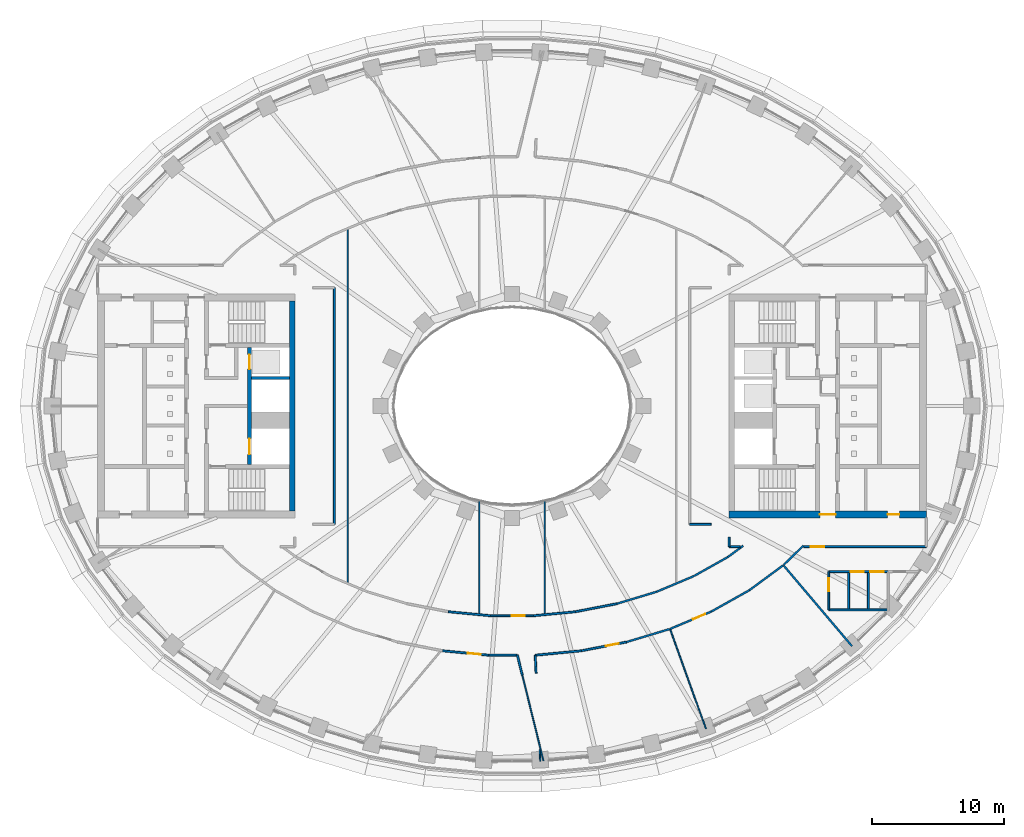
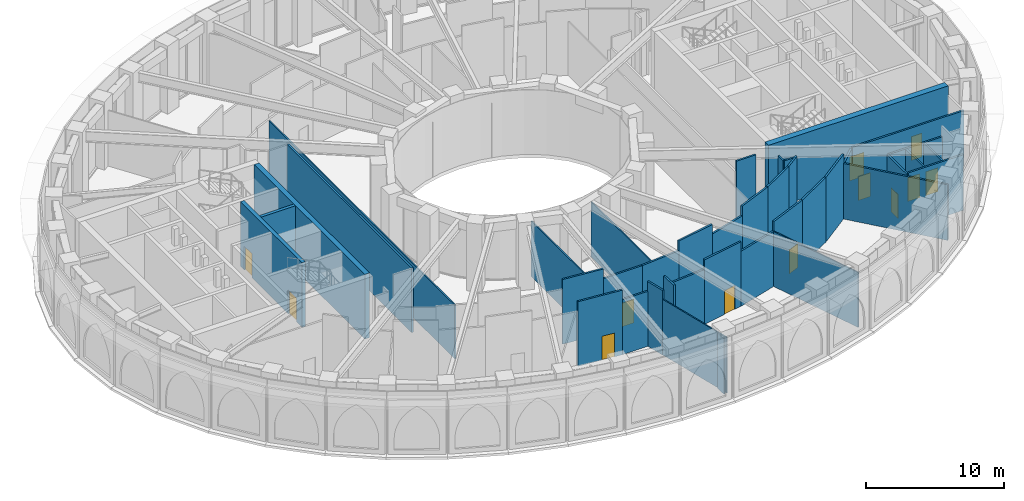
# One storey, part 4 of 23: 40 walls, 12 doors, 12 openings.
"""IFC4 building model written with IfcOpenShell, lengths in metres."""

from ifc_helpers import new_model, si_unit, direction, frame, frame_2d, origin, place, context, subcontext, project, spatial, rectangle, extrude, material, layer, layer_set, type_object, element, fill, save


model = new_model("IFC4")

# Units and contexts
model_context = context("Model", 3, precision=1e-05, world=origin(), true_north=direction((0.0, 1.0)))
body_context = subcontext(model_context, "Body", "Model", "MODEL_VIEW")
ifc_project = project(units=[si_unit("LENGTHUNIT", "METRE"), si_unit("AREAUNIT", "SQUARE_METRE"), si_unit("VOLUMEUNIT", "CUBIC_METRE"), si_unit("PLANEANGLEUNIT", "RADIAN"), si_unit("MASSUNIT", "GRAM", prefix="KILO")], contexts=[model_context])

# Site, building, storey
site_placement = place(None, origin())
site = spatial("IfcSite", under=ifc_project, at=site_placement, CompositionType="ELEMENT")
building_placement = place(site_placement, origin())
building = spatial("IfcBuilding", under=site, at=building_placement, Name="Noorbagh Ring Tower", CompositionType="ELEMENT")
storey_placement = place(building_placement, frame((0.0, 0.0, 140.0)))
storey = spatial("IfcBuildingStorey", under=building, at=storey_placement, Name="L32", CompositionType="ELEMENT", Elevation=140.0)

# Wall
ifc_material_1 = material(Name="Concrete C70/85", Category="concrete")
ifc_layer_1 = layer(ifc_material_1, 0.25)
ifc_layer_set_1 = layer_set([ifc_layer_1], Name="Concrete C70/85")
wall_type_1 = type_object("IfcWallType", Name="CORE-WALL-250-C70-85-EI120", PredefinedType="SHEAR", material=ifc_layer_set_1)
wall_1_placement = place(storey_placement, frame((-16.89990234375, 2.125, 0.0), z_axis=(0.0, 0.0, 1.0), x_axis=(-1.0, 0.0, 0.0)))
element("IfcWall", 1, at=wall_1_placement, inside=storey, type_object=wall_type_1, Name="Core wall W", PredefinedType="SHEAR", context=body_context, shape_type="SweptSolid", body=[
    extrude(rectangle(XDim=2.900146484375, YDim=0.25, at=frame_2d((1.4501953125, 0.0))), origin(), (0.0, 0.0, 1.0), 5.699951171875),
])

# Wall, openings, doors
ifc_material_2 = material(Name="Concrete C70/85", Category="concrete")
ifc_layer_2 = layer(ifc_material_2, 0.300048828125)
ifc_layer_set_2 = layer_set([ifc_layer_2], Name="Concrete C70/85")
wall_type_2 = type_object("IfcWallType", Name="CORE-WALL-300-C70-85-EI120", PredefinedType="SHEAR", material=ifc_layer_set_2)
wall_2_placement = place(storey_placement, frame((-19.949951171875, -4.449951171875, 0.0), z_axis=(0.0, 0.0, 1.0), x_axis=(0.0, 1.0, 0.0)))
wall_2 = element("IfcWall", 2, at=wall_2_placement, inside=storey, type_object=wall_type_2, Name="Core wall W", PredefinedType="SHEAR", context=body_context, shape_type="SweptSolid", body=[
    extrude(rectangle(XDim=8.89990234375, YDim=0.300048828125, at=frame_2d((4.449951171875, 0.0))), origin(), (0.0, 0.0, 1.0), 5.699951171875),
])
opening_1_placement = place(wall_2_placement, frame((0.77490234375, 0.0, 0.0)))
opening_1 = element("IfcOpeningElement", 3, at=opening_1_placement, cuts=wall_2, Name="Opening L32-CW01", PredefinedType="OPENING", context=body_context, shape_type="SweptSolid", body=[
    extrude(rectangle(XDim=1.199951171875, YDim=2.10009765625, at=frame_2d((0.60009765625, 1.050048828125))), frame((0.0, 0.16015625, 0.0), z_axis=(0.0, -1.0, 0.0), x_axis=(1.0, 0.0, 0.0)), (0.0, 0.0, 1.0), 0.320068359375),
])
opening_2_placement = place(wall_2_placement, frame((7.25, 0.0, 0.0)))
opening_2 = element("IfcOpeningElement", 4, at=opening_2_placement, cuts=wall_2, Name="Opening L32-CW02", PredefinedType="OPENING", context=body_context, shape_type="SweptSolid", body=[
    extrude(rectangle(XDim=1.10009765625, YDim=2.10009765625, at=frame_2d((0.550048828125, 1.050048828125))), frame((0.0, 0.16015625, 0.0), z_axis=(0.0, -1.0, 0.0), x_axis=(1.0, 0.0, 0.0)), (0.0, 0.0, 1.0), 0.320068359375),
])
ifc_material_3 = material(Name="Steel door leaf", Category="steel")
door_type_1 = type_object("IfcDoorType", Name="CORE-DOOR-LD", OperationType="DOUBLE_DOOR_SLIDING", PredefinedType="DOOR", material=ifc_material_3)
door_1_placement = place(opening_2_placement, origin())
door_1 = element("IfcDoor", 5, at=door_1_placement, inside=storey, type_object=door_type_1, Name="Landing door HR1 L32-CW02", OperationType="DOUBLE_DOOR_SLIDING", OverallHeight=2.10009765625, OverallWidth=1.10009765625, PredefinedType="DOOR", context=body_context, shape_type="SweptSolid", body=[
    extrude(rectangle(XDim=1.10009765625, YDim=2.10009765625, at=frame_2d((0.550048828125, 1.050048828125))), frame((0.0, 0.02490234375, 0.0), z_axis=(0.0, -1.0, 0.0), x_axis=(1.0, 0.0, 0.0)), (0.0, 0.0, 1.0), 0.050048828125),
])
fill(opening_2, door_1)
ifc_material_4 = material(Name="Steel door leaf", Category="steel")
door_type_2 = type_object("IfcDoorType", Name="CORE-DOOR-LDW", OperationType="DOUBLE_DOOR_SLIDING", PredefinedType="DOOR", material=ifc_material_4)
door_2_placement = place(opening_1_placement, origin())
door_2 = element("IfcDoor", 6, at=door_2_placement, inside=storey, type_object=door_type_2, Name="Landing door FF1 L32-CW01", OperationType="DOUBLE_DOOR_SLIDING", OverallHeight=2.10009765625, OverallWidth=1.199951171875, PredefinedType="DOOR", context=body_context, shape_type="SweptSolid", body=[
    extrude(rectangle(XDim=1.199951171875, YDim=2.10009765625, at=frame_2d((0.60009765625, 1.050048828125))), frame((0.0, 0.02490234375, 0.0), z_axis=(0.0, -1.0, 0.0), x_axis=(1.0, 0.0, 0.0)), (0.0, 0.0, 1.0), 0.050048828125),
])
fill(opening_1, door_2)

# Wall
ifc_material_5 = material(Name="Concrete C70/85", Category="concrete")
ifc_layer_3 = layer(ifc_material_5, 0.39990234375)
ifc_layer_set_3 = layer_set([ifc_layer_3], Name="Concrete C70/85")
wall_type_3 = type_object("IfcWallType", Name="CORE-WALL-400-C70-85-EI240", PredefinedType="SHEAR", material=ifc_layer_set_3)
wall_3_placement = place(storey_placement, frame((-16.699951171875, -8.0, 0.0), z_axis=(0.0, 0.0, 1.0), x_axis=(0.0, 1.0, 0.0)))
element("IfcWall", 7, at=wall_3_placement, inside=storey, type_object=wall_type_3, Name="Core wall W", PredefinedType="SHEAR", context=body_context, shape_type="SweptSolid", body=[
    extrude(rectangle(XDim=16.0, YDim=0.39990234375, at=frame_2d((8.0, 0.0))), origin(), (0.0, 0.0, 1.0), 5.699951171875),
])

# Wall, openings, doors
ifc_material_6 = material(Name="Concrete C70/85", Category="concrete")
ifc_layer_4 = layer(ifc_material_6, 0.5)
ifc_layer_set_4 = layer_set([ifc_layer_4], Name="Concrete C70/85")
wall_type_4 = type_object("IfcWallType", Name="CORE-WALL-500-C70-85-EI240", PredefinedType="SHEAR", material=ifc_layer_set_4)
wall_4_placement = place(storey_placement, frame((16.5, -8.25, 0.0), z_axis=(0.0, 0.0, 1.0), x_axis=(1.0, 0.0, 0.0)))
wall_4 = element("IfcWall", 8, at=wall_4_placement, inside=storey, type_object=wall_type_4, Name="Core wall E", PredefinedType="SHEAR", context=body_context, shape_type="SweptSolid", body=[
    extrude(rectangle(XDim=15.0, YDim=0.5, at=frame_2d((7.5, 0.0))), origin(), (0.0, 0.0, 1.0), 5.699951171875),
])
opening_3_placement = place(wall_4_placement, frame((6.89990234375, 0.0, 0.0)))
opening_3 = element("IfcOpeningElement", 9, at=opening_3_placement, cuts=wall_4, Name="Opening L32-CE12", PredefinedType="OPENING", context=body_context, shape_type="SweptSolid", body=[
    extrude(rectangle(XDim=1.199951171875, YDim=2.10009765625, at=frame_2d((0.60009765625, 1.050048828125))), frame((0.0, 0.260009765625, 0.0), z_axis=(0.0, -1.0, 0.0), x_axis=(1.0, 0.0, 0.0)), (0.0, 0.0, 1.0), 0.52001953125),
])
opening_4_placement = place(wall_4_placement, frame((12.050048828125, 0.0, 0.0)))
opening_4 = element("IfcOpeningElement", 10, at=opening_4_placement, cuts=wall_4, Name="Opening L32-CE16", PredefinedType="OPENING", context=body_context, shape_type="SweptSolid", body=[
    extrude(rectangle(XDim=0.89990234375, YDim=2.10009765625, at=frame_2d((0.449951171875, 1.050048828125))), frame((0.0, 0.260009765625, 0.0), z_axis=(0.0, -1.0, 0.0), x_axis=(1.0, 0.0, 0.0)), (0.0, 0.0, 1.0), 0.52001953125),
])
ifc_material_7 = material(Name="Steel door leaf", Category="steel")
door_type_3 = type_object("IfcDoorType", Name="CORE-DOOR-DROOM", OperationType="SINGLE_SWING_LEFT", PredefinedType="DOOR", material=ifc_material_7)
door_3_placement = place(opening_4_placement, origin())
door_3 = element("IfcDoor", 11, at=door_3_placement, inside=storey, type_object=door_type_3, Name="Core room door L32-CE16", OperationType="SINGLE_SWING_RIGHT", OverallHeight=2.10009765625, OverallWidth=0.89990234375, PredefinedType="DOOR", context=body_context, shape_type="SweptSolid", body=[
    extrude(rectangle(XDim=0.89990234375, YDim=2.10009765625, at=frame_2d((0.449951171875, 1.050048828125))), frame((0.0, 0.02490234375, 0.0), z_axis=(0.0, -1.0, 0.0), x_axis=(1.0, 0.0, 0.0)), (0.0, 0.0, 1.0), 0.050048828125),
])
fill(opening_4, door_3)
ifc_material_8 = material(Name="Steel door leaf", Category="steel")
door_type_4 = type_object("IfcDoorType", Name="CORE-DOOR-PORT", OperationType="DOUBLE_DOOR_DOUBLE_SWING", PredefinedType="DOOR", material=ifc_material_8)
door_4_placement = place(opening_3_placement, origin())
door_4 = element("IfcDoor", 12, at=door_4_placement, inside=storey, type_object=door_type_4, Name="Core entrance door L32-CE12", OperationType="DOUBLE_DOOR_DOUBLE_SWING", OverallHeight=2.10009765625, OverallWidth=1.199951171875, PredefinedType="DOOR", context=body_context, shape_type="SweptSolid", body=[
    extrude(rectangle(XDim=1.199951171875, YDim=2.10009765625, at=frame_2d((0.60009765625, 1.050048828125))), frame((0.0, 0.02490234375, 0.0), z_axis=(0.0, -1.0, 0.0), x_axis=(1.0, 0.0, 0.0)), (0.0, 0.0, 1.0), 0.050048828125),
])
fill(opening_3, door_4)

# Wall
ifc_material_9 = material(Name="Gypsum board on steel studs", Category="steel")
ifc_layer_5 = layer(ifc_material_9, 0.14990234375)
ifc_layer_set_5 = layer_set([ifc_layer_5], Name="Gypsum board on steel studs")
wall_type_5 = type_object("IfcWallType", Name="CORRIDOR PARTITION 150 EI 30", PredefinedType="PARTITIONING", material=ifc_layer_set_5)
wall_5_placement = place(storey_placement, frame((-13.5, -9.0, 0.0), z_axis=(0.0, 0.0, 1.0), x_axis=(0.0, 1.0, 0.0)))
element("IfcWall", 13, at=wall_5_placement, inside=storey, type_object=wall_type_5, Name="L32/wall/P30", PredefinedType="PARTITIONING", context=body_context, shape_type="SweptSolid", body=[
    extrude(rectangle(XDim=18.0, YDim=0.14990234375, at=frame_2d((9.0, 0.0))), origin(), (0.0, 0.0, 1.0), 5.699951171875),
])

# Wall, opening, door
wall_6_placement = place(storey_placement, frame((-5.27001953125, -18.613037109375, 0.0), z_axis=(0.0, 0.0, 1.0), x_axis=(0.995464881704, -0.095129749787, 0.0)))
wall_6 = element("IfcWall", 14, at=wall_6_placement, inside=storey, type_object=wall_type_5, Name="L32/wall/P42", PredefinedType="PARTITIONING", context=body_context, shape_type="SweptSolid", body=[
    extrude(rectangle(XDim=3.52099609375, YDim=0.14990234375, at=frame_2d((1.760498046875, 0.0))), origin(), (0.0, 0.0, 1.0), 5.699951171875),
])
opening_5_placement = place(wall_6_placement, frame((1.89990234375, 0.0, 0.0)))
opening_5 = element("IfcOpeningElement", 15, at=opening_5_placement, cuts=wall_6, Name="Opening D1", PredefinedType="OPENING", context=body_context, shape_type="SweptSolid", body=[
    extrude(rectangle(XDim=1.0, YDim=2.10009765625, at=frame_2d((0.5, 1.050048828125))), frame((0.0, 0.0849609375, 0.0), z_axis=(0.0, -1.0, 0.0), x_axis=(1.0, 0.0, 0.0)), (0.0, 0.0, 1.0), 0.169921875),
])
ifc_material_10 = material(Name="Timber, painted", Category="wood")
door_type_5 = type_object("IfcDoorType", Name="DOOR 1000 X 2100 FD30", OperationType="SINGLE_SWING_LEFT", PredefinedType="DOOR", material=ifc_material_10)
door_5_placement = place(opening_5_placement, origin())
door_5 = element("IfcDoor", 16, at=door_5_placement, inside=storey, type_object=door_type_5, Name="L32-D12", OperationType="SINGLE_SWING_RIGHT", OverallHeight=2.10009765625, OverallWidth=1.0, PredefinedType="DOOR", context=body_context, shape_type="SweptSolid", body=[
    extrude(rectangle(XDim=1.0, YDim=2.10009765625, at=frame_2d((0.5, 1.050048828125))), frame((0.0, 0.02490234375, 0.0), z_axis=(0.0, -1.0, 0.0), x_axis=(1.0, 0.0, 0.0)), (0.0, 0.0, 1.0), 0.050048828125),
])
fill(opening_5, door_5)

# Walls
wall_7_placement = place(storey_placement, frame((-4.841064453125, -15.64111328125, 0.0), z_axis=(0.0, 0.0, 1.0), x_axis=(0.995486305975, -0.094905292879, 0.0)))
element("IfcWall", 17, at=wall_7_placement, inside=storey, type_object=wall_type_5, Name="L32/wall/P44", PredefinedType="PARTITIONING", context=body_context, shape_type="SweptSolid", body=[
    extrude(rectangle(XDim=3.233642578125, YDim=0.14990234375, at=frame_2d((1.61669921875, 0.0))), origin(), (0.0, 0.0, 1.0), 5.699951171875),
])
wall_8_placement = place(storey_placement, frame((-1.764892578125, -18.947998046875, 0.0), z_axis=(0.0, 0.0, 1.0), x_axis=(1.0, 0.0, 0.0)))
element("IfcWall", 18, at=wall_8_placement, inside=storey, type_object=wall_type_5, Name="L32/wall/P48", PredefinedType="PARTITIONING", context=body_context, shape_type="SweptSolid", body=[
    extrude(rectangle(XDim=2.173828125, YDim=0.14990234375, at=frame_2d((1.0869140625, 0.0))), origin(), (0.0, 0.0, 1.0), 4.85009765625),
])

# Wall, opening, door
wall_9_placement = place(storey_placement, frame((-1.6220703125, -15.947998046875, 0.0), z_axis=(0.0, 0.0, 1.0), x_axis=(1.0, 0.0, 0.0)))
wall_9 = element("IfcWall", 19, at=wall_9_placement, inside=storey, type_object=wall_type_5, Name="L32/wall/P50", PredefinedType="PARTITIONING", context=body_context, shape_type="SweptSolid", body=[
    extrude(rectangle(XDim=3.244140625, YDim=0.14990234375, at=frame_2d((1.6220703125, 0.0))), origin(), (0.0, 0.0, 1.0), 4.85009765625),
])
opening_6_placement = place(wall_9_placement, frame((1.593994140625, 0.0, 0.0)))
opening_6 = element("IfcOpeningElement", 20, at=opening_6_placement, cuts=wall_9, Name="Opening D1", PredefinedType="OPENING", context=body_context, shape_type="SweptSolid", body=[
    extrude(rectangle(XDim=1.0, YDim=2.10009765625, at=frame_2d((0.5, 1.050048828125))), frame((0.0, 0.0849609375, 0.0), z_axis=(0.0, -1.0, 0.0), x_axis=(1.0, 0.0, 0.0)), (0.0, 0.0, 1.0), 0.169921875),
])
door_6_placement = place(opening_6_placement, origin())
door_6 = element("IfcDoor", 21, at=door_6_placement, inside=storey, type_object=door_type_5, Name="L32-D21", OperationType="SINGLE_SWING_LEFT", OverallHeight=2.10009765625, OverallWidth=1.0, PredefinedType="DOOR", context=body_context, shape_type="SweptSolid", body=[
    extrude(rectangle(XDim=1.0, YDim=2.10009765625, at=frame_2d((0.5, 1.050048828125))), frame((0.0, 0.02490234375, 0.0), z_axis=(0.0, -1.0, 0.0), x_axis=(1.0, 0.0, 0.0)), (0.0, 0.0, 1.0), 0.050048828125),
])
fill(opening_6, door_6)

# Walls
wall_10_placement = place(storey_placement, frame((0.408935546875, -18.947998046875, 0.0), z_axis=(0.0, 0.0, 1.0), x_axis=(0.239670854128, -0.970854202072, 0.0)))
element("IfcWall", 22, at=wall_10_placement, inside=storey, type_object=wall_type_5, Name="L32/wall/P52", PredefinedType="PARTITIONING", context=body_context, shape_type="SweptSolid", body=[
    extrude(rectangle(XDim=1.564697265625, YDim=0.14990234375, at=frame_2d((0.7822265625, 0.0))), origin(), (0.0, 0.0, 1.0), 5.699951171875),
])
wall_11_placement = place(storey_placement, frame((1.6220703125, -15.947998046875, 0.0), z_axis=(0.0, 0.0, 1.0), x_axis=(0.995486305975, 0.094905292879, 0.0)))
element("IfcWall", 23, at=wall_11_placement, inside=storey, type_object=wall_type_5, Name="L32/wall/P56", PredefinedType="PARTITIONING", context=body_context, shape_type="SweptSolid", body=[
    extrude(rectangle(XDim=3.233642578125, YDim=0.14990234375, at=frame_2d((1.61669921875, 0.0))), origin(), (0.0, 0.0, 1.0), 4.85009765625),
])
wall_12_placement = place(storey_placement, frame((1.764892578125, -18.951904296875, 0.0), z_axis=(0.0, 0.0, 1.0), x_axis=(0.047769155187, -0.998858402284, 0.0)))
element("IfcWall", 24, at=wall_12_placement, inside=storey, type_object=wall_type_5, Name="L32/wall/P58", PredefinedType="PARTITIONING", context=body_context, shape_type="SweptSolid", body=[
    extrude(rectangle(XDim=1.364501953125, YDim=0.14990234375, at=frame_2d((0.68212890625, 0.0))), origin(), (0.0, 0.0, 1.0), 5.699951171875),
])
wall_13_placement = place(storey_placement, frame((1.784912109375, -18.946044921875, 0.0), z_axis=(0.0, 0.0, 1.0), x_axis=(0.995465963487, 0.095118429016, 0.0)))
element("IfcWall", 25, at=wall_13_placement, inside=storey, type_object=wall_type_5, Name="L32/wall/P60", PredefinedType="PARTITIONING", context=body_context, shape_type="SweptSolid", body=[
    extrude(rectangle(XDim=3.5009765625, YDim=0.14990234375, at=frame_2d((1.75048828125, 0.0))), origin(), (0.0, 0.0, 1.0), 4.85009765625),
])
wall_14_placement = place(storey_placement, frame((4.841064453125, -15.64111328125, 0.0), z_axis=(0.0, 0.0, 1.0), x_axis=(0.981616580231, 0.190863536108, 0.0)))
element("IfcWall", 26, at=wall_14_placement, inside=storey, type_object=wall_type_5, Name="L32/wall/P66", PredefinedType="PARTITIONING", context=body_context, shape_type="SweptSolid", body=[
    extrude(rectangle(XDim=3.20166015625, YDim=0.14990234375, at=frame_2d((1.600830078125, 0.0))), origin(), (0.0, 0.0, 1.0), 5.699951171875),
])

# Wall, opening, door
wall_15_placement = place(storey_placement, frame((5.27001953125, -18.613037109375, 0.0), z_axis=(0.0, 0.0, 1.0), x_axis=(0.981655321849, 0.190664178821, 0.0)))
wall_15 = element("IfcWall", 27, at=wall_15_placement, inside=storey, type_object=wall_type_5, Name="L32/wall/P68", PredefinedType="PARTITIONING", context=body_context, shape_type="SweptSolid", body=[
    extrude(rectangle(XDim=3.498291015625, YDim=0.14990234375, at=frame_2d((1.7490234375, 0.0))), origin(), (0.0, 0.0, 1.0), 5.699951171875),
])
opening_7_placement = place(wall_15_placement, frame((1.89990234375, 0.0, 0.0)))
opening_7 = element("IfcOpeningElement", 28, at=opening_7_placement, cuts=wall_15, Name="Opening D1", PredefinedType="OPENING", context=body_context, shape_type="SweptSolid", body=[
    extrude(rectangle(XDim=1.0, YDim=2.10009765625, at=frame_2d((0.5, 1.050048828125))), frame((0.0, 0.0849609375, 0.0), z_axis=(0.0, -1.0, 0.0), x_axis=(1.0, 0.0, 0.0)), (0.0, 0.0, 1.0), 0.169921875),
])
door_7_placement = place(opening_7_placement, origin())
door_7 = element("IfcDoor", 29, at=door_7_placement, inside=storey, type_object=door_type_5, Name="L32-D14", OperationType="SINGLE_SWING_RIGHT", OverallHeight=2.10009765625, OverallWidth=1.0, PredefinedType="DOOR", context=body_context, shape_type="SweptSolid", body=[
    extrude(rectangle(XDim=1.0, YDim=2.10009765625, at=frame_2d((0.5, 1.050048828125))), frame((0.0, 0.02490234375, 0.0), z_axis=(0.0, -1.0, 0.0), x_axis=(1.0, 0.0, 0.0)), (0.0, 0.0, 1.0), 0.050048828125),
])
fill(opening_7, door_7)

# Walls
wall_16_placement = place(storey_placement, frame((7.98388671875, -15.030029296875, 0.0), z_axis=(0.0, 0.0, 1.0), x_axis=(0.957527018266, 0.288343561209, 0.0)))
element("IfcWall", 30, at=wall_16_placement, inside=storey, type_object=wall_type_5, Name="L32/wall/P70", PredefinedType="PARTITIONING", context=body_context, shape_type="SweptSolid", body=[
    extrude(rectangle(XDim=3.14892578125, YDim=0.14990234375, at=frame_2d((1.574462890625, 0.0))), origin(), (0.0, 0.0, 1.0), 4.85009765625),
])
wall_17_placement = place(storey_placement, frame((8.7041015625, -17.946044921875, 0.0), z_axis=(0.0, 0.0, 1.0), x_axis=(0.957556139407, 0.288246838464, 0.0)))
element("IfcWall", 31, at=wall_17_placement, inside=storey, type_object=wall_type_5, Name="L32/wall/P72", PredefinedType="PARTITIONING", context=body_context, shape_type="SweptSolid", body=[
    extrude(rectangle(XDim=3.43798828125, YDim=0.14990234375, at=frame_2d((1.718994140625, 0.0))), origin(), (0.0, 0.0, 1.0), 4.85009765625),
])
wall_18_placement = place(storey_placement, frame((10.9990234375, -14.1220703125, 0.0), z_axis=(0.0, 0.0, 1.0), x_axis=(0.921801441693, 0.387662355785, 0.0)))
element("IfcWall", 32, at=wall_18_placement, inside=storey, type_object=wall_type_5, Name="L32/wall/P74", PredefinedType="PARTITIONING", context=body_context, shape_type="SweptSolid", body=[
    extrude(rectangle(XDim=3.070068359375, YDim=0.14990234375, at=frame_2d((1.53515625, 0.0))), origin(), (0.0, 0.0, 1.0), 5.699951171875),
])

# Wall, opening, door
wall_19_placement = place(storey_placement, frame((12.01611328125, -16.948974609375, 0.0), z_axis=(0.0, 0.0, 1.0), x_axis=(0.921865104958, 0.387510939537, 0.0)))
wall_19 = element("IfcWall", 33, at=wall_19_placement, inside=storey, type_object=wall_type_5, Name="L32/wall/P76", PredefinedType="PARTITIONING", context=body_context, shape_type="SweptSolid", body=[
    extrude(rectangle(XDim=3.3984375, YDim=0.14990234375, at=frame_2d((1.69921875, 0.0))), origin(), (0.0, 0.0, 1.0), 5.699951171875),
])
opening_8_placement = place(wall_19_placement, frame((1.89990234375, 0.0, 0.0)))
opening_8 = element("IfcOpeningElement", 34, at=opening_8_placement, cuts=wall_19, Name="Opening D1", PredefinedType="OPENING", context=body_context, shape_type="SweptSolid", body=[
    extrude(rectangle(XDim=1.0, YDim=2.10009765625, at=frame_2d((0.5, 1.050048828125))), frame((0.0, 0.0849609375, 0.0), z_axis=(0.0, -1.0, 0.0), x_axis=(1.0, 0.0, 0.0)), (0.0, 0.0, 1.0), 0.169921875),
])
door_8_placement = place(opening_8_placement, origin())
door_8 = element("IfcDoor", 35, at=door_8_placement, inside=storey, type_object=door_type_5, Name="L32-D16", OperationType="SINGLE_SWING_RIGHT", OverallHeight=2.10009765625, OverallWidth=1.0, PredefinedType="DOOR", context=body_context, shape_type="SweptSolid", body=[
    extrude(rectangle(XDim=1.0, YDim=2.10009765625, at=frame_2d((0.5, 1.050048828125))), frame((0.0, 0.02490234375, 0.0), z_axis=(0.0, -1.0, 0.0), x_axis=(1.0, 0.0, 0.0)), (0.0, 0.0, 1.0), 0.050048828125),
])
fill(opening_8, door_8)

# Walls
wall_20_placement = place(storey_placement, frame((13.5, -9.0, 0.0), z_axis=(0.0, 0.0, 1.0), x_axis=(1.0, 0.0, 0.0)))
element("IfcWall", 36, at=wall_20_placement, inside=storey, type_object=wall_type_5, Name="L32/wall/P82", PredefinedType="PARTITIONING", context=body_context, shape_type="SweptSolid", body=[
    extrude(rectangle(XDim=1.634033203125, YDim=0.14990234375, at=frame_2d((0.81689453125, 0.0))), origin(), (0.0, 0.0, 1.0), 5.699951171875),
])
wall_21_placement = place(storey_placement, frame((13.8291015625, -12.931884765625, 0.0), z_axis=(0.0, 0.0, 1.0), x_axis=(0.872085581183, 0.489353388761, 0.0)))
element("IfcWall", 37, at=wall_21_placement, inside=storey, type_object=wall_type_5, Name="L32/wall/P84", PredefinedType="PARTITIONING", context=body_context, shape_type="SweptSolid", body=[
    extrude(rectangle(XDim=2.962890625, YDim=0.14990234375, at=frame_2d((1.4814453125, 0.0))), origin(), (0.0, 0.0, 1.0), 5.699951171875),
])
wall_22_placement = place(storey_placement, frame((15.14892578125, -15.632080078125, 0.0), z_axis=(0.0, 0.0, 1.0), x_axis=(0.872074124955, 0.489373804555, 0.0)))
element("IfcWall", 38, at=wall_22_placement, inside=storey, type_object=wall_type_5, Name="L32/wall/P86", PredefinedType="PARTITIONING", context=body_context, shape_type="SweptSolid", body=[
    extrude(rectangle(XDim=3.318603515625, YDim=0.14990234375, at=frame_2d((1.6591796875, 0.0))), origin(), (0.0, 0.0, 1.0), 5.699951171875),
])
wall_23_placement = place(storey_placement, frame((16.4130859375, -11.48193359375, 0.0), z_axis=(0.0, 0.0, 1.0), x_axis=(0.805259590147, 0.592922416911, 0.0)))
element("IfcWall", 39, at=wall_23_placement, inside=storey, type_object=wall_type_5, Name="L32/wall/P88", PredefinedType="PARTITIONING", context=body_context, shape_type="SweptSolid", body=[
    extrude(rectangle(XDim=1.4453125, YDim=0.14990234375, at=frame_2d((0.72265625, 0.0))), origin(), (0.0, 0.0, 1.0), 5.699951171875),
])
wall_24_placement = place(storey_placement, frame((16.5, -10.699951171875, 0.0), z_axis=(0.0, 0.0, 1.0), x_axis=(0.0, 1.0, 0.0)))
element("IfcWall", 40, at=wall_24_placement, inside=storey, type_object=wall_type_5, Name="L32/wall/P90", PredefinedType="PARTITIONING", context=body_context, shape_type="SweptSolid", body=[
    extrude(rectangle(XDim=0.73583984375, YDim=0.14990234375, at=frame_2d((0.367919921875, 0.0))), origin(), (0.0, 0.0, 1.0), 5.699951171875),
])
wall_25_placement = place(storey_placement, frame((16.5, -10.699951171875, 0.0), z_axis=(0.0, 0.0, 1.0), x_axis=(1.0, 0.0, 0.0)))
element("IfcWall", 41, at=wall_25_placement, inside=storey, type_object=wall_type_5, Name="L32/wall/P91", PredefinedType="PARTITIONING", context=body_context, shape_type="SweptSolid", body=[
    extrude(rectangle(XDim=0.84912109375, YDim=0.14990234375, at=frame_2d((0.424560546875, 0.0))), origin(), (0.0, 0.0, 1.0), 5.699951171875),
])
wall_26_placement = place(storey_placement, frame((18.04296875, -14.008056640625, 0.0), z_axis=(0.0, 0.0, 1.0), x_axis=(0.805078886059, 0.593167756392, 0.0)))
element("IfcWall", 42, at=wall_26_placement, inside=storey, type_object=wall_type_5, Name="L32/wall/P94", PredefinedType="PARTITIONING", context=body_context, shape_type="SweptSolid", body=[
    extrude(rectangle(XDim=3.19482421875, YDim=0.14990234375, at=frame_2d((1.597412109375, 0.0))), origin(), (0.0, 0.0, 1.0), 5.699951171875),
])
wall_27_placement = place(storey_placement, frame((20.634033203125, -12.10400390625, 0.0), z_axis=(0.0, 0.0, 1.0), x_axis=(0.646407608184, -0.762992270001, 0.0)))
element("IfcWall", 43, at=wall_27_placement, inside=storey, type_object=wall_type_5, Name="L32/wall/P96", PredefinedType="PARTITIONING", context=body_context, shape_type="SweptSolid", body=[
    extrude(rectangle(XDim=8.064453125, YDim=0.14990234375, at=frame_2d((4.0322265625, 0.0))), origin(), (0.0, 0.0, 1.0), 4.89990234375),
])
wall_28_placement = place(storey_placement, frame((20.64599609375, -12.0869140625, 0.0), z_axis=(0.0, 0.0, 1.0), x_axis=(0.717046631286, 0.697025199373, 0.0)))
element("IfcWall", 44, at=wall_28_placement, inside=storey, type_object=wall_type_5, Name="L32/wall/P98", PredefinedType="PARTITIONING", context=body_context, shape_type="SweptSolid", body=[
    extrude(rectangle(XDim=2.097412109375, YDim=0.14990234375, at=frame_2d((1.048828125, 0.0))), origin(), (0.0, 0.0, 1.0), 4.75),
])

# Wall, opening, door
wall_29_placement = place(storey_placement, frame((22.180908203125, -10.699951171875, 0.0), z_axis=(0.0, 0.0, 1.0), x_axis=(1.0, 0.0, 0.0)))
wall_29 = element("IfcWall", 45, at=wall_29_placement, inside=storey, type_object=wall_type_5, Name="L32/wall/P100", PredefinedType="PARTITIONING", context=body_context, shape_type="SweptSolid", body=[
    extrude(rectangle(XDim=9.319091796875, YDim=0.14990234375, at=frame_2d((4.65966796875, 0.0))), origin(), (0.0, 0.0, 1.0), 4.89990234375),
])
opening_9_placement = place(wall_29_placement, frame((0.5419921875, 0.0, 0.0)))
opening_9 = element("IfcOpeningElement", 46, at=opening_9_placement, cuts=wall_29, Name="Opening D1", PredefinedType="OPENING", context=body_context, shape_type="SweptSolid", body=[
    extrude(rectangle(XDim=1.0, YDim=2.10009765625, at=frame_2d((0.5, 1.050048828125))), frame((0.0, 0.0849609375, 0.0), z_axis=(0.0, -1.0, 0.0), x_axis=(1.0, 0.0, 0.0)), (0.0, 0.0, 1.0), 0.169921875),
])
door_9_placement = place(opening_9_placement, origin())
door_9 = element("IfcDoor", 47, at=door_9_placement, inside=storey, type_object=door_type_5, Name="L32-D01", OperationType="SINGLE_SWING_LEFT", OverallHeight=2.10009765625, OverallWidth=1.0, PredefinedType="DOOR", context=body_context, shape_type="SweptSolid", body=[
    extrude(rectangle(XDim=1.0, YDim=2.10009765625, at=frame_2d((0.5, 1.050048828125))), frame((0.0, 0.02490234375, 0.0), z_axis=(0.0, -1.0, 0.0), x_axis=(1.0, 0.0, 0.0)), (0.0, 0.0, 1.0), 0.050048828125),
])
fill(opening_9, door_9)

wall_30_placement = place(storey_placement, frame((24.0830078125, -15.49609375, 0.0), z_axis=(0.0, 0.0, 1.0), x_axis=(0.0, 1.0, 0.0)))
wall_30 = element("IfcWall", 48, at=wall_30_placement, inside=storey, type_object=wall_type_5, Name="L32/wall/P102", PredefinedType="PARTITIONING", context=body_context, shape_type="SweptSolid", body=[
    extrude(rectangle(XDim=2.89599609375, YDim=0.14990234375, at=frame_2d((1.447998046875, 0.0))), origin(), (0.0, 0.0, 1.0), 4.75),
])
opening_10_placement = place(wall_30_placement, frame((1.39990234375, 0.0, 0.0)))
opening_10 = element("IfcOpeningElement", 49, at=opening_10_placement, cuts=wall_30, Name="Opening D3", PredefinedType="OPENING", context=body_context, shape_type="SweptSolid", body=[
    extrude(rectangle(XDim=1.0, YDim=2.10009765625, at=frame_2d((0.5, 1.050048828125))), frame((0.0, 0.0849609375, 0.0), z_axis=(0.0, -1.0, 0.0), x_axis=(1.0, 0.0, 0.0)), (0.0, 0.0, 1.0), 0.169921875),
])
ifc_material_11 = material(Name="Timber, painted", Category="wood")
door_type_6 = type_object("IfcDoorType", Name="DOOR 1000 X 2100 WC", OperationType="SINGLE_SWING_LEFT", PredefinedType="DOOR", material=ifc_material_11)
door_10_placement = place(opening_10_placement, origin())
door_10 = element("IfcDoor", 50, at=door_10_placement, inside=storey, type_object=door_type_6, Name="L32-D02", OperationType="SINGLE_SWING_RIGHT", OverallHeight=2.10009765625, OverallWidth=1.0, PredefinedType="DOOR", context=body_context, shape_type="SweptSolid", body=[
    extrude(rectangle(XDim=1.0, YDim=2.10009765625, at=frame_2d((0.5, 1.050048828125))), frame((0.0, 0.02490234375, 0.0), z_axis=(0.0, -1.0, 0.0), x_axis=(1.0, 0.0, 0.0)), (0.0, 0.0, 1.0), 0.050048828125),
])
fill(opening_10, door_10)

# Wall, openings, doors
wall_31_placement = place(storey_placement, frame((24.0830078125, -12.60009765625, 0.0), z_axis=(0.0, 0.0, 1.0), x_axis=(1.0, 0.0, 0.0)))
wall_31 = element("IfcWall", 51, at=wall_31_placement, inside=storey, type_object=wall_type_5, Name="L32/wall/P103", PredefinedType="PARTITIONING", context=body_context, shape_type="SweptSolid", body=[
    extrude(rectangle(XDim=4.52392578125, YDim=0.14990234375, at=frame_2d((2.261962890625, 0.0))), origin(), (0.0, 0.0, 1.0), 4.75),
])
opening_11_placement = place(wall_31_placement, frame((1.657958984375, 0.0, 0.0)))
opening_11 = element("IfcOpeningElement", 52, at=opening_11_placement, cuts=wall_31, Name="Opening D3", PredefinedType="OPENING", context=body_context, shape_type="SweptSolid", body=[
    extrude(rectangle(XDim=1.0, YDim=2.10009765625, at=frame_2d((0.5, 1.050048828125))), frame((0.0, 0.0849609375, 0.0), z_axis=(0.0, -1.0, 0.0), x_axis=(1.0, 0.0, 0.0)), (0.0, 0.0, 1.0), 0.169921875),
])
opening_12_placement = place(wall_31_placement, frame((3.166015625, 0.0, 0.0)))
opening_12 = element("IfcOpeningElement", 53, at=opening_12_placement, cuts=wall_31, Name="Opening D3", PredefinedType="OPENING", context=body_context, shape_type="SweptSolid", body=[
    extrude(rectangle(XDim=1.0, YDim=2.10009765625, at=frame_2d((0.5, 1.050048828125))), frame((0.0, 0.0849609375, 0.0), z_axis=(0.0, -1.0, 0.0), x_axis=(1.0, 0.0, 0.0)), (0.0, 0.0, 1.0), 0.169921875),
])
door_11_placement = place(opening_11_placement, origin())
door_11 = element("IfcDoor", 54, at=door_11_placement, inside=storey, type_object=door_type_6, Name="L32-D03", OperationType="SINGLE_SWING_LEFT", OverallHeight=2.10009765625, OverallWidth=1.0, PredefinedType="DOOR", context=body_context, shape_type="SweptSolid", body=[
    extrude(rectangle(XDim=1.0, YDim=2.10009765625, at=frame_2d((0.5, 1.050048828125))), frame((0.0, 0.02490234375, 0.0), z_axis=(0.0, -1.0, 0.0), x_axis=(1.0, 0.0, 0.0)), (0.0, 0.0, 1.0), 0.050048828125),
])
fill(opening_11, door_11)
door_12_placement = place(opening_12_placement, origin())
door_12 = element("IfcDoor", 55, at=door_12_placement, inside=storey, type_object=door_type_6, Name="L32-D04", OperationType="SINGLE_SWING_RIGHT", OverallHeight=2.10009765625, OverallWidth=1.0, PredefinedType="DOOR", context=body_context, shape_type="SweptSolid", body=[
    extrude(rectangle(XDim=1.0, YDim=2.10009765625, at=frame_2d((0.5, 1.050048828125))), frame((0.0, 0.02490234375, 0.0), z_axis=(0.0, -1.0, 0.0), x_axis=(1.0, 0.0, 0.0)), (0.0, 0.0, 1.0), 0.050048828125),
])
fill(opening_12, door_12)

# Walls
wall_32_placement = place(storey_placement, frame((24.0869140625, -15.5, 0.0), z_axis=(0.0, 0.0, 1.0), x_axis=(1.0, 0.0, 0.0)))
element("IfcWall", 56, at=wall_32_placement, inside=storey, type_object=wall_type_5, Name="L32/wall/P104", PredefinedType="PARTITIONING", context=body_context, shape_type="SweptSolid", body=[
    extrude(rectangle(XDim=4.592041015625, YDim=0.14990234375, at=frame_2d((2.2958984375, 0.0))), origin(), (0.0, 0.0, 1.0), 4.89990234375),
])
for number, where, z_axis, x_axis, name in (
    (57, (25.591064453125, -15.425048828125, 0.0), (0.0, 0.0, 1.0), (0.0, 1.0, 0.0), "L32/wall/P105"),
    (58, (27.09912109375, -15.425048828125, 0.0), (0.0, 0.0, 1.0), (0.0, 1.0, 0.0), "L32/wall/P106"),
):
    element("IfcWall", number, at=place(storey_placement, frame(where, z_axis=z_axis, x_axis=x_axis)), inside=storey, type_object=wall_type_5, Name=name, PredefinedType="PARTITIONING", context=body_context, shape_type="SweptSolid", body=[
        extrude(rectangle(XDim=2.75, YDim=0.14990234375, at=frame_2d((1.375, 0.0))), origin(), (0.0, 0.0, 1.0), 4.75),
    ])
ifc_material_12 = material(Name="Gypsum board on steel studs", Category="steel")
ifc_layer_6 = layer(ifc_material_12, 0.10009765625)
ifc_layer_set_6 = layer_set([ifc_layer_6], Name="Gypsum board on steel studs")
wall_type_6 = type_object("IfcWallType", Name="PARTITION 100 GYPSUM", PredefinedType="PARTITIONING", material=ifc_layer_set_6)
wall_33_placement = place(storey_placement, frame((-12.48193359375, -13.4140625, 0.0), z_axis=(0.0, 0.0, 1.0), x_axis=(0.0, 1.0, 0.0)))
element("IfcWall", 59, at=wall_33_placement, inside=storey, type_object=wall_type_6, Name="L32/wall/P31", PredefinedType="PARTITIONING", context=body_context, shape_type="SweptSolid", body=[
    extrude(rectangle(XDim=26.828125, YDim=0.10009765625, at=frame_2d((13.4140625, 0.0))), origin(), (0.0, 0.0, 1.0), 4.75),
])
wall_34_placement = place(storey_placement, frame((-2.49609375, -15.785888671875, 0.0), z_axis=(0.0, 0.0, 1.0), x_axis=(0.0, 1.0, 0.0)))
element("IfcWall", 60, at=wall_34_placement, inside=storey, type_object=wall_type_6, Name="L32/wall/P46", PredefinedType="PARTITIONING", context=body_context, shape_type="SweptSolid", body=[
    extrude(rectangle(XDim=8.60791015625, YDim=0.10009765625, at=frame_2d((4.303955078125, 0.0))), origin(), (0.0, 0.0, 1.0), 4.89990234375),
])
wall_35_placement = place(storey_placement, frame((0.785888671875, -20.47705078125, 0.0), z_axis=(0.0, 0.0, 1.0), x_axis=(0.239795123803, -0.970823515682, 0.0)))
element("IfcWall", 61, at=wall_35_placement, inside=storey, type_object=wall_type_6, Name="L32/wall/P55", PredefinedType="PARTITIONING", context=body_context, shape_type="SweptSolid", body=[
    extrude(rectangle(XDim=6.68896484375, YDim=0.10009765625, at=frame_2d((3.344482421875, 0.0))), origin(), (0.0, 0.0, 1.0), 4.89990234375),
])
wall_36_placement = place(storey_placement, frame((2.10595703125, -26.131103515625, 0.0), z_axis=(0.0, 0.0, 1.0), x_axis=(0.048380339495, -0.998828985738, 0.0)))
element("IfcWall", 62, at=wall_36_placement, inside=storey, type_object=wall_type_6, Name="L32/wall/P62", PredefinedType="PARTITIONING", context=body_context, shape_type="SweptSolid", body=[
    extrude(rectangle(XDim=0.867919921875, YDim=0.10009765625, at=frame_2d((0.43408203125, 0.0))), origin(), (0.0, 0.0, 1.0), 4.89990234375),
])
wall_37_placement = place(storey_placement, frame((2.49609375, -15.785888671875, 0.0), z_axis=(0.0, 0.0, 1.0), x_axis=(0.0, 1.0, 0.0)))
element("IfcWall", 63, at=wall_37_placement, inside=storey, type_object=wall_type_6, Name="L32/wall/P64", PredefinedType="PARTITIONING", context=body_context, shape_type="SweptSolid", body=[
    extrude(rectangle(XDim=8.60791015625, YDim=0.10009765625, at=frame_2d((4.303955078125, 0.0))), origin(), (0.0, 0.0, 1.0), 4.85009765625),
])
wall_38_placement = place(storey_placement, frame((12.01708984375, -16.952880859375, 0.0), z_axis=(0.0, 0.0, 1.0), x_axis=(0.338312774079, -0.941033722507, 0.0)))
element("IfcWall", 64, at=wall_38_placement, inside=storey, type_object=wall_type_6, Name="L32/wall/P78", PredefinedType="PARTITIONING", context=body_context, shape_type="SweptSolid", body=[
    extrude(rectangle(XDim=8.05712890625, YDim=0.10009765625, at=frame_2d((4.028564453125, 0.0))), origin(), (0.0, 0.0, 1.0), 4.85009765625),
])

save(model, "model.ifc")
